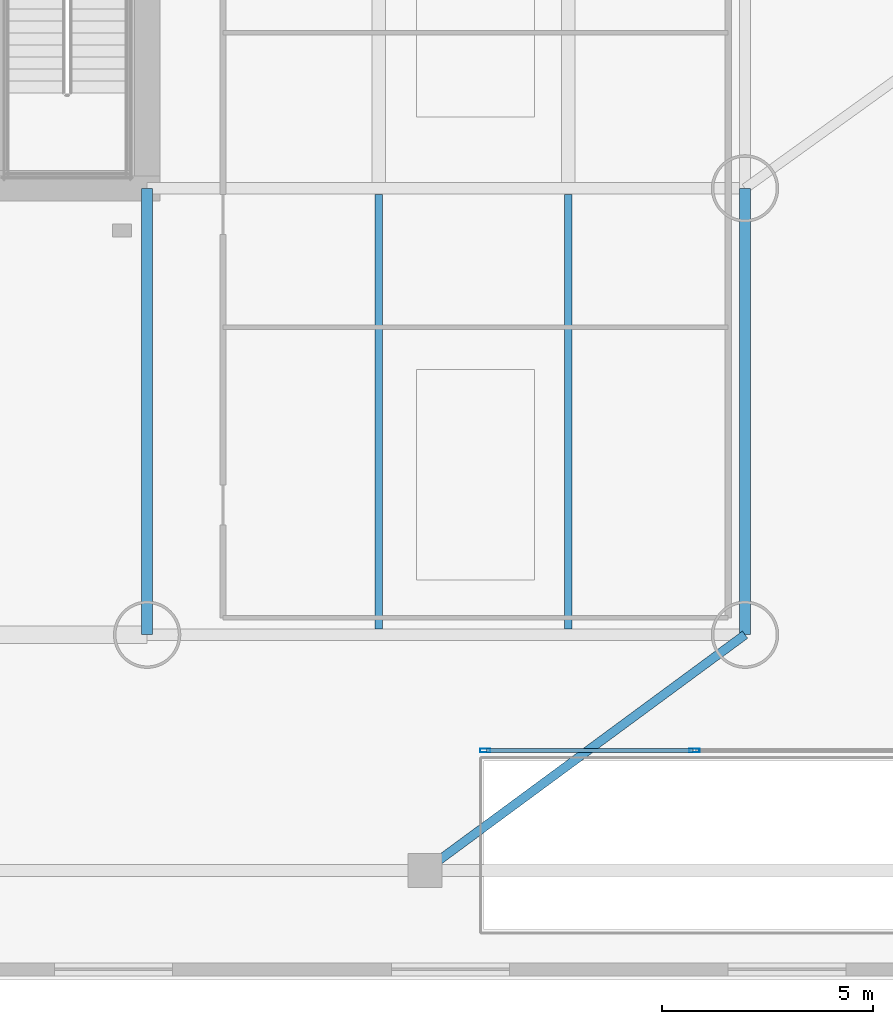
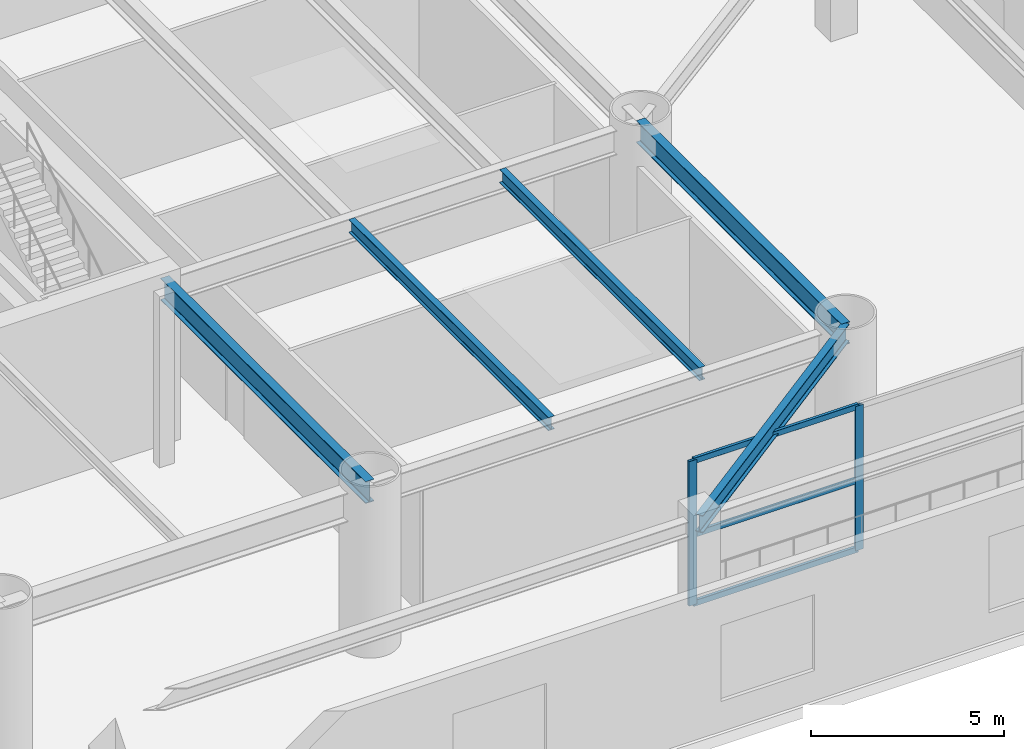
# One storey, part 2 of 16: 5 beams, 5 members, 1 element without a shape of its own.
"""IFC4 building model written with IfcOpenShell, lengths in metres."""

from ifc_helpers import new_model, si_unit, direction, frame, origin, origin_2d, place, context, subcontext, project, spatial, hollow_rectangle, i_section, extrude, material, layer, layer_set, material_profile, profile_set, type_object, element, aggregate, save


model = new_model("IFC4")

# Units and contexts
model_context = context("Model", 3, precision=1e-05, world=origin(), true_north=direction((0.0, 1.0)))
body_context = subcontext(model_context, "Body", "Model", "MODEL_VIEW")
ifc_project = project(units=[si_unit("LENGTHUNIT", "METRE"), si_unit("AREAUNIT", "SQUARE_METRE"), si_unit("VOLUMEUNIT", "CUBIC_METRE"), si_unit("PLANEANGLEUNIT", "RADIAN"), si_unit("MASSUNIT", "GRAM", prefix="KILO")], contexts=[model_context])

# Site, building, storey
site_placement = place(None, origin())
site = spatial("IfcSite", under=ifc_project, at=site_placement, CompositionType="ELEMENT")
building_placement = place(site_placement, origin())
building = spatial("IfcBuilding", under=site, at=building_placement, Name="Bramvorn Convention Spire", CompositionType="ELEMENT")
storey_placement = place(building_placement, frame((0.0, 0.0, 18.60009765625)))
storey = spatial("IfcBuildingStorey", under=building, at=storey_placement, Name="L03", CompositionType="ELEMENT", Elevation=18.60009765625)

# Beams
ifc_material_1 = material(Name="Steel CSA G40.21 Grade 350 (350W)", Category="steel")
ifc_material_profile_1 = material_profile(ifc_material_1, i_section(OverallWidth=0.180908203125, OverallDepth=0.4169921875, WebThickness=0.010986328125, FlangeThickness=0.018310546875, FilletRadius=0.01611328125, at=origin_2d()))
ifc_profile_set_1 = profile_set([ifc_material_profile_1], Name="Steel CSA G40.21 Grade 350 (350W) - W410X85")
beam_type_1 = type_object("IfcBeamType", Name="BM-W410X85", PredefinedType="JOIST", material=ifc_profile_set_1)
for number, where, z_axis, x_axis, name in (
    (1, (54.5, 8.340087890625, 4.84130859375), (0.0, 1.0, 0.0), (-1.0, 0.0, 0.0), "L03 side hall joist S-5"),
    (2, (59.0, 8.340087890625, 4.84130859375), (0.0, 1.0, 0.0), (-1.0, 0.0, 0.0), "L03 side hall joist S-6"),
):
    element("IfcBeam", number, at=place(storey_placement, frame(where, z_axis=z_axis, x_axis=x_axis)), inside=storey, type_object=beam_type_1, Name=name, PredefinedType="JOIST", context=body_context, shape_type="SweptSolid", body=[
        extrude(i_section(OverallWidth=0.180908203125, OverallDepth=0.4169921875, WebThickness=0.010986328125, FlangeThickness=0.018310546875, FilletRadius=0.01611328125, at=origin_2d()), origin(), (0.0, 0.0, 1.0), 10.31982421875),
    ])
ifc_material_profile_2 = material_profile(ifc_material_1, i_section(OverallWidth=0.2119140625, OverallDepth=0.5439453125, WebThickness=0.01318359375, FlangeThickness=0.021240234375, FilletRadius=0.01904296875, at=origin_2d()))
ifc_profile_set_2 = profile_set([ifc_material_profile_2], Name="Steel CSA G40.21 Grade 350 (350W) - W530X123")
beam_type_2 = type_object("IfcBeamType", Name="BM-W530X123", PredefinedType="BEAM", material=ifc_profile_set_2)
beam_placement = place(storey_placement, frame((55.60009765625, 2.60009765625, 4.77783203125), z_axis=(0.805057787445, 0.593196391488, 0.0), x_axis=(-0.593196391488, 0.805057787445, 0.0)))
element("IfcBeam", 3, at=beam_placement, inside=storey, type_object=beam_type_2, Name="L03 podium primary girder 30", PredefinedType="BEAM", context=body_context, shape_type="SweptSolid", body=[
    extrude(i_section(OverallWidth=0.2119140625, OverallDepth=0.5439453125, WebThickness=0.01318359375, FlangeThickness=0.021240234375, FilletRadius=0.01904296875, at=origin_2d()), origin(), (0.0, 0.0, 1.0), 9.440185546875),
])
ifc_material_profile_3 = material_profile(ifc_material_1, i_section(OverallWidth=0.256103515625, OverallDepth=0.693115234375, WebThickness=0.014404296875, FlangeThickness=0.023681640625, FilletRadius=0.02197265625, at=origin_2d()))
ifc_profile_set_3 = profile_set([ifc_material_profile_3], Name="Steel CSA G40.21 Grade 350 (350W) - W690X170")
beam_type_3 = type_object("IfcBeamType", Name="BM-W690X170", PredefinedType="BEAM", material=ifc_profile_set_3)
for number, where, z_axis, x_axis, name in (
    (4, (63.199951171875, 8.199951171875, 4.703369140625), (0.0, 1.0, 0.0), (-1.0, 0.0, 0.0), "L03 podium primary girder 15"),
    (5, (49.0, 8.199951171875, 4.703369140625), (0.0, 1.0, 0.0), (-1.0, 0.0, 0.0), "L03 podium primary girder 23"),
):
    element("IfcBeam", number, at=place(storey_placement, frame(where, z_axis=z_axis, x_axis=x_axis)), inside=storey, type_object=beam_type_3, Name=name, PredefinedType="BEAM", context=body_context, shape_type="SweptSolid", body=[
        extrude(i_section(OverallWidth=0.256103515625, OverallDepth=0.693115234375, WebThickness=0.014404296875, FlangeThickness=0.023681640625, FilletRadius=0.02197265625, at=origin_2d()), origin(), (0.0, 0.0, 1.0), 10.60009765625),
    ])

# Curtain wall, members
ifc_material_2 = material(Name="Anodised Bronze Unitised Curtain Wall", Category="aluminium")
ifc_layer = layer(ifc_material_2, 0.219970703125)
ifc_layer_set = layer_set([ifc_layer], Name="Anodised Bronze Unitised Curtain Wall - CW-POD-LANCET")
curtain_wall_type = type_object("IfcCurtainWallType", Name="CW-POD-LANCET", PredefinedType="USERDEFINED", material=ifc_layer_set)
curtain_wall_placement = place(storey_placement, origin())
curtain_wall = element("IfcCurtainWall", 6, at=curtain_wall_placement, inside=storey, type_object=curtain_wall_type, Name="L03 SE colonnade lancet curtain wall", ObjectType="UNITISED CURTAIN WALL", PredefinedType="USERDEFINED")
ifc_material_3 = material(Name="Anodised Bronze Aluminium 6063-T6", Category="aluminium")
ifc_material_profile_4 = material_profile(ifc_material_3, hollow_rectangle(XDim=0.090087890625, YDim=0.239990234375, WallThickness=0.00439453125, InnerFilletRadius=0.0009765625, OuterFilletRadius=0.00439453125, at=origin_2d()))
ifc_profile_set_4 = profile_set([ifc_material_profile_4], Name="Anodised Bronze Aluminium 6063-T6 - CWM90X240")
member_type_1 = type_object("IfcMemberType", Name="CW-MUL-220", PredefinedType="MULLION", material=ifc_profile_set_4)
member_1_placement = place(storey_placement, frame((57.030029296875, 5.449951171875, 0.0), z_axis=(0.0, 0.0, 1.0), x_axis=(0.0, 1.0, 0.0)))
member_1 = element("IfcMember", 7, at=member_1_placement, type_object=member_type_1, Name="CW1 mullion 1", PredefinedType="MULLION", context=body_context, shape_type="SweptSolid", body=[
    extrude(hollow_rectangle(XDim=0.090087890625, YDim=0.239990234375, WallThickness=0.00439453125, InnerFilletRadius=0.0009765625, OuterFilletRadius=0.00439453125, at=origin_2d()), origin(), (0.0, 0.0, 1.0), 4.559814453125),
])
member_2_placement = place(storey_placement, frame((62.0, 5.449951171875, 0.0), z_axis=(0.0, 0.0, 1.0), x_axis=(0.0, 1.0, 0.0)))
member_2 = element("IfcMember", 8, at=member_2_placement, type_object=member_type_1, Name="CW1 mullion 2", PredefinedType="MULLION", context=body_context, shape_type="SweptSolid", body=[
    extrude(hollow_rectangle(XDim=0.090087890625, YDim=0.239990234375, WallThickness=0.00439453125, InnerFilletRadius=0.0009765625, OuterFilletRadius=0.00439453125, at=origin_2d()), origin(), (0.0, 0.0, 1.0), 4.559814453125),
])
ifc_material_profile_5 = material_profile(ifc_material_3, hollow_rectangle(XDim=0.090087890625, YDim=0.179931640625, WallThickness=0.00439453125, InnerFilletRadius=0.0009765625, OuterFilletRadius=0.00439453125, at=origin_2d()))
ifc_profile_set_5 = profile_set([ifc_material_profile_5], Name="Anodised Bronze Aluminium 6063-T6 - CWT90X180")
member_type_2 = type_object("IfcMemberType", Name="CW-TRN-180", PredefinedType="USERDEFINED", material=ifc_profile_set_5)
member_3_placement = place(storey_placement, frame((57.06005859375, 5.449951171875, 0.02978515625), z_axis=(1.0, 0.0, 0.0), x_axis=(0.0, 1.0, 0.0)))
member_3 = element("IfcMember", 9, at=member_3_placement, type_object=member_type_2, Name="CW1 transom 1.1", ObjectType="TRANSOM", PredefinedType="USERDEFINED", context=body_context, shape_type="SweptSolid", body=[
    extrude(hollow_rectangle(XDim=0.090087890625, YDim=0.179931640625, WallThickness=0.00439453125, InnerFilletRadius=0.0009765625, OuterFilletRadius=0.00439453125, at=origin_2d()), origin(), (0.0, 0.0, 1.0), 4.909912109375),
])
member_4_placement = place(storey_placement, frame((57.06005859375, 5.449951171875, 2.199951171875), z_axis=(1.0, 0.0, 0.0), x_axis=(0.0, 1.0, 0.0)))
member_4 = element("IfcMember", 10, at=member_4_placement, type_object=member_type_2, Name="CW1 transom 1.2", ObjectType="TRANSOM", PredefinedType="USERDEFINED", context=body_context, shape_type="SweptSolid", body=[
    extrude(hollow_rectangle(XDim=0.090087890625, YDim=0.179931640625, WallThickness=0.00439453125, InnerFilletRadius=0.0009765625, OuterFilletRadius=0.00439453125, at=origin_2d()), origin(), (0.0, 0.0, 1.0), 4.909912109375),
])
member_5_placement = place(storey_placement, frame((57.06005859375, 5.449951171875, 4.52978515625), z_axis=(1.0, 0.0, 0.0), x_axis=(0.0, 1.0, 0.0)))
member_5 = element("IfcMember", 11, at=member_5_placement, type_object=member_type_2, Name="CW1 transom 1.3", ObjectType="TRANSOM", PredefinedType="USERDEFINED", context=body_context, shape_type="SweptSolid", body=[
    extrude(hollow_rectangle(XDim=0.090087890625, YDim=0.179931640625, WallThickness=0.00439453125, InnerFilletRadius=0.0009765625, OuterFilletRadius=0.00439453125, at=origin_2d()), origin(), (0.0, 0.0, 1.0), 4.909912109375),
])
aggregate(curtain_wall, [member_1, member_2, member_3, member_4, member_5])

save(model, "model.ifc")
